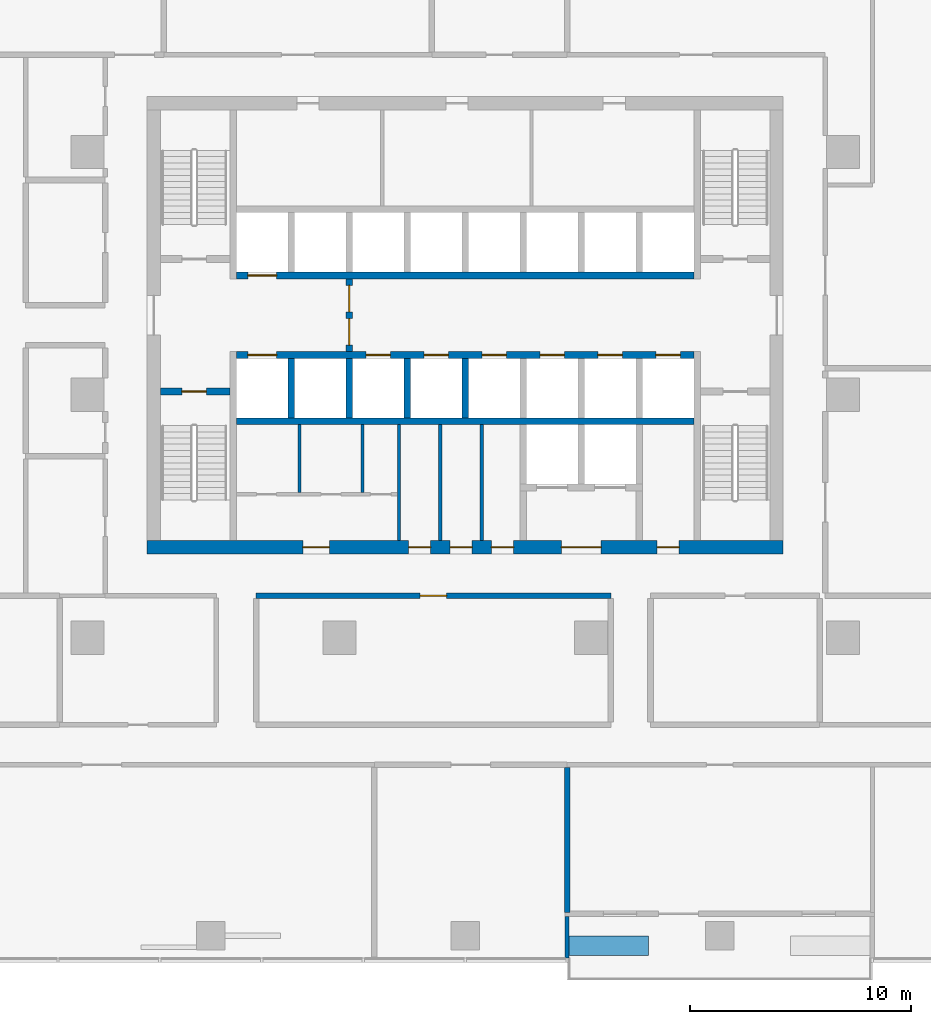
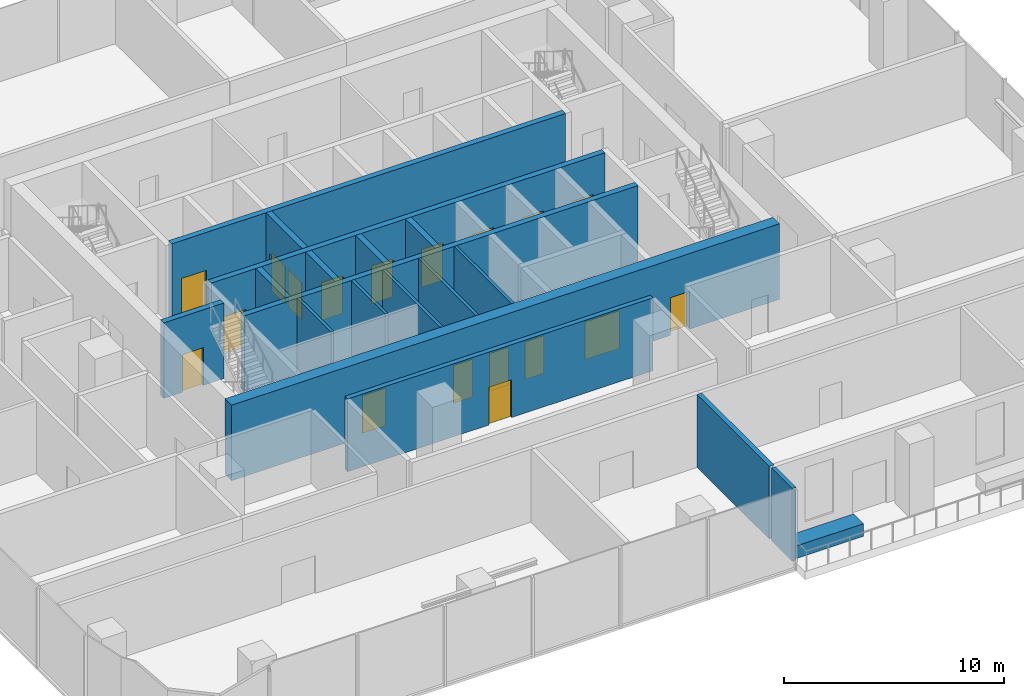
# One storey, part 8 of 15: 19 walls, 18 doors, 18 openings.
"""IFC4 building model written with IfcOpenShell, lengths in metres."""

from ifc_helpers import new_model, si_unit, direction, frame, frame_2d, origin, place, context, subcontext, project, spatial, rectangle, extrude, material, layer, layer_set, type_object, element, fill, save


model = new_model("IFC4")

# Units and contexts
model_context = context("Model", 3, precision=1e-05, world=origin(), true_north=direction((0.0, 1.0)))
body_context = subcontext(model_context, "Body", "Model", "MODEL_VIEW")
ifc_project = project(units=[si_unit("LENGTHUNIT", "METRE"), si_unit("AREAUNIT", "SQUARE_METRE"), si_unit("VOLUMEUNIT", "CUBIC_METRE"), si_unit("PLANEANGLEUNIT", "RADIAN"), si_unit("MASSUNIT", "GRAM", prefix="KILO")], contexts=[model_context])

# Site, building, storey
site_placement = place(None, origin())
site = spatial("IfcSite", under=ifc_project, at=site_placement, CompositionType="ELEMENT")
building_placement = place(site_placement, origin())
building = spatial("IfcBuilding", under=site, at=building_placement, Name="Mopane Tessera Tower", CompositionType="ELEMENT")
storey_placement = place(building_placement, frame((0.0, 0.0, 117.10009765625)))
storey = spatial("IfcBuildingStorey", under=building, at=storey_placement, Name="L23", CompositionType="ELEMENT", Elevation=117.10009765625)

# Walls
ifc_material_1 = material(Name="Fire-rated gypsum board partition")
ifc_layer_1 = layer(ifc_material_1, 0.14990234375)
ifc_layer_set_1 = layer_set([ifc_layer_1], Name="Fire-rated gypsum board partition")
wall_type_1 = type_object("IfcWallType", Name="Core room partition 150 mm", PredefinedType="PARTITIONING", material=ifc_layer_set_1)
for number, where, z_axis, x_axis, name in (
    (1, (-7.5, -4.425048828125, 0.0), (0.0, 0.0, 1.0), (0.0, 1.0, 0.0), "L23 WC partition"),
    (2, (-4.64990234375, -4.425048828125, 0.0), (0.0, 0.0, 1.0), (0.0, 1.0, 0.0), "L23 WC partition"),
):
    element("IfcWall", number, at=place(storey_placement, frame(where, z_axis=z_axis, x_axis=x_axis)), inside=storey, type_object=wall_type_1, Name=name, PredefinedType="PARTITIONING", context=body_context, shape_type="SweptSolid", body=[
        extrude(rectangle(XDim=3.074951171875, YDim=0.14990234375, at=frame_2d((1.53759765625, 0.0))), origin(), (0.0, 0.0, 1.0), 4.199951171875),
    ])
for number, where, z_axis, x_axis, name in (
    (3, (-3.0, -6.60009765625, 0.0), (0.0, 0.0, 1.0), (0.0, 1.0, 0.0), "L23 Room partition"),
    (4, (-1.125, -6.60009765625, 0.0), (0.0, 0.0, 1.0), (0.0, 1.0, 0.0), "L23 Room partition"),
    (5, (0.75, -6.60009765625, 0.0), (0.0, 0.0, 1.0), (0.0, 1.0, 0.0), "L23 Room partition"),
):
    element("IfcWall", number, at=place(storey_placement, frame(where, z_axis=z_axis, x_axis=x_axis)), inside=storey, type_object=wall_type_1, Name=name, PredefinedType="PARTITIONING", context=body_context, shape_type="SweptSolid", body=[
        extrude(rectangle(XDim=5.25, YDim=0.14990234375, at=frame_2d((2.625, 0.0))), origin(), (0.0, 0.0, 1.0), 4.199951171875),
    ])

# Wall, openings, doors
ifc_material_2 = material(Name="Concrete C70/85", Category="concrete")
ifc_layer_2 = layer(ifc_material_2, 0.60009765625)
ifc_layer_set_2 = layer_set([ifc_layer_2], Name="Concrete C70/85")
wall_type_2 = type_object("IfcWallType", Name="Core shear wall 600 mm", PredefinedType="SHEAR", material=ifc_layer_set_2)
wall_1_placement = place(storey_placement, frame((-14.39990234375, -6.89990234375, 0.0), z_axis=(0.0, 0.0, 1.0), x_axis=(1.0, 0.0, 0.0)))
wall_1 = element("IfcWall", 6, at=wall_1_placement, inside=storey, type_object=wall_type_2, Name="L23 Core wall south", PredefinedType="SHEAR", context=body_context, shape_type="SweptSolid", body=[
    extrude(rectangle(XDim=28.7998046875, YDim=0.60009765625, at=frame_2d((14.39990234375, 0.0))), origin(), (0.0, 0.0, 1.0), 4.199951171875),
])
opening_1_placement = place(wall_1_placement, frame((7.050048828125, 0.0, 0.0)))
opening_1 = element("IfcOpeningElement", 7, at=opening_1_placement, cuts=wall_1, Name="Opening WD3", PredefinedType="OPENING", context=body_context, shape_type="SweptSolid", body=[
    extrude(rectangle(XDim=1.199951171875, YDim=2.10009765625, at=frame_2d((0.60009765625, 1.050048828125))), frame((0.0, 0.31201171875, 0.0), z_axis=(0.0, -1.0, 0.0), x_axis=(1.0, 0.0, 0.0)), (0.0, 0.0, 1.0), 0.6240234375),
])
opening_2_placement = place(wall_1_placement, frame((11.83740234375, 0.0, 0.0)))
opening_2 = element("IfcOpeningElement", 8, at=opening_2_placement, cuts=wall_1, Name="Opening RD1", PredefinedType="OPENING", context=body_context, shape_type="SweptSolid", body=[
    extrude(rectangle(XDim=1.0, YDim=2.10009765625, at=frame_2d((0.5, 1.050048828125))), frame((0.0, 0.31201171875, 0.0), z_axis=(0.0, -1.0, 0.0), x_axis=(1.0, 0.0, 0.0)), (0.0, 0.0, 1.0), 0.6240234375),
])
opening_3_placement = place(wall_1_placement, frame((13.71240234375, 0.0, 0.0)))
opening_3 = element("IfcOpeningElement", 9, at=opening_3_placement, cuts=wall_1, Name="Opening RD1", PredefinedType="OPENING", context=body_context, shape_type="SweptSolid", body=[
    extrude(rectangle(XDim=1.0, YDim=2.10009765625, at=frame_2d((0.5, 1.050048828125))), frame((0.0, 0.31201171875, 0.0), z_axis=(0.0, -1.0, 0.0), x_axis=(1.0, 0.0, 0.0)), (0.0, 0.0, 1.0), 0.6240234375),
])
opening_4_placement = place(wall_1_placement, frame((15.58740234375, 0.0, 0.0)))
opening_4 = element("IfcOpeningElement", 10, at=opening_4_placement, cuts=wall_1, Name="Opening RD1", PredefinedType="OPENING", context=body_context, shape_type="SweptSolid", body=[
    extrude(rectangle(XDim=1.0, YDim=2.10009765625, at=frame_2d((0.5, 1.050048828125))), frame((0.0, 0.31201171875, 0.0), z_axis=(0.0, -1.0, 0.0), x_axis=(1.0, 0.0, 0.0)), (0.0, 0.0, 1.0), 0.6240234375),
])
opening_5_placement = place(wall_1_placement, frame((18.75, 0.0, 0.0)))
opening_5 = element("IfcOpeningElement", 11, at=opening_5_placement, cuts=wall_1, Name="Opening SD2", PredefinedType="OPENING", context=body_context, shape_type="SweptSolid", body=[
    extrude(rectangle(XDim=1.800048828125, YDim=2.10009765625, at=frame_2d((0.89990234375, 1.050048828125))), frame((0.0, 0.31201171875, 0.0), z_axis=(0.0, -1.0, 0.0), x_axis=(1.0, 0.0, 0.0)), (0.0, 0.0, 1.0), 0.6240234375),
])
opening_6_placement = place(wall_1_placement, frame((23.08740234375, 0.0, 0.0)))
opening_6 = element("IfcOpeningElement", 12, at=opening_6_placement, cuts=wall_1, Name="Opening RD1", PredefinedType="OPENING", context=body_context, shape_type="SweptSolid", body=[
    extrude(rectangle(XDim=1.0, YDim=2.10009765625, at=frame_2d((0.5, 1.050048828125))), frame((0.0, 0.31201171875, 0.0), z_axis=(0.0, -1.0, 0.0), x_axis=(1.0, 0.0, 0.0)), (0.0, 0.0, 1.0), 0.6240234375),
])
ifc_material_3 = material(Name="Steel fire door", Category="steel")
door_type_1 = type_object("IfcDoorType", Name="Core entrance double door 1800 x 2100", OperationType="DOUBLE_DOOR_SINGLE_SWING", PredefinedType="DOOR", material=ifc_material_3)
door_1_placement = place(opening_5_placement, origin())
door_1 = element("IfcDoor", 13, at=door_1_placement, inside=storey, type_object=door_type_1, Name="L23 Service lobby door", OperationType="DOUBLE_DOOR_SINGLE_SWING", OverallHeight=2.10009765625, OverallWidth=1.800048828125, PredefinedType="DOOR", context=body_context, shape_type="SweptSolid", body=[
    extrude(rectangle(XDim=1.800048828125, YDim=2.10009765625, at=frame_2d((0.89990234375, 1.050048828125))), frame((0.0, 0.02490234375, 0.0), z_axis=(0.0, -1.0, 0.0), x_axis=(1.0, 0.0, 0.0)), (0.0, 0.0, 1.0), 0.050048828125),
])
fill(opening_5, door_1)
ifc_material_4 = material(Name="Timber door", Category="wood")
door_type_2 = type_object("IfcDoorType", Name="Core room door 1000 x 2100", OperationType="SINGLE_SWING_LEFT", PredefinedType="DOOR", material=ifc_material_4)
door_2_placement = place(opening_2_placement, origin())
door_2 = element("IfcDoor", 14, at=door_2_placement, inside=storey, type_object=door_type_2, Name="L23 Room door", OperationType="SINGLE_SWING_LEFT", OverallHeight=2.10009765625, OverallWidth=1.0, PredefinedType="DOOR", context=body_context, shape_type="SweptSolid", body=[
    extrude(rectangle(XDim=1.0, YDim=2.10009765625, at=frame_2d((0.5, 1.050048828125))), frame((0.0, 0.02490234375, 0.0), z_axis=(0.0, -1.0, 0.0), x_axis=(1.0, 0.0, 0.0)), (0.0, 0.0, 1.0), 0.050048828125),
])
fill(opening_2, door_2)
door_3_placement = place(opening_3_placement, origin())
door_3 = element("IfcDoor", 15, at=door_3_placement, inside=storey, type_object=door_type_2, Name="L23 Room door", OperationType="SINGLE_SWING_LEFT", OverallHeight=2.10009765625, OverallWidth=1.0, PredefinedType="DOOR", context=body_context, shape_type="SweptSolid", body=[
    extrude(rectangle(XDim=1.0, YDim=2.10009765625, at=frame_2d((0.5, 1.050048828125))), frame((0.0, 0.02490234375, 0.0), z_axis=(0.0, -1.0, 0.0), x_axis=(1.0, 0.0, 0.0)), (0.0, 0.0, 1.0), 0.050048828125),
])
fill(opening_3, door_3)
door_4_placement = place(opening_4_placement, origin())
door_4 = element("IfcDoor", 16, at=door_4_placement, inside=storey, type_object=door_type_2, Name="L23 Room door", OperationType="SINGLE_SWING_LEFT", OverallHeight=2.10009765625, OverallWidth=1.0, PredefinedType="DOOR", context=body_context, shape_type="SweptSolid", body=[
    extrude(rectangle(XDim=1.0, YDim=2.10009765625, at=frame_2d((0.5, 1.050048828125))), frame((0.0, 0.02490234375, 0.0), z_axis=(0.0, -1.0, 0.0), x_axis=(1.0, 0.0, 0.0)), (0.0, 0.0, 1.0), 0.050048828125),
])
fill(opening_4, door_4)
door_5_placement = place(opening_6_placement, origin())
door_5 = element("IfcDoor", 17, at=door_5_placement, inside=storey, type_object=door_type_2, Name="L23 Room door", OperationType="SINGLE_SWING_LEFT", OverallHeight=2.10009765625, OverallWidth=1.0, PredefinedType="DOOR", context=body_context, shape_type="SweptSolid", body=[
    extrude(rectangle(XDim=1.0, YDim=2.10009765625, at=frame_2d((0.5, 1.050048828125))), frame((0.0, 0.02490234375, 0.0), z_axis=(0.0, -1.0, 0.0), x_axis=(1.0, 0.0, 0.0)), (0.0, 0.0, 1.0), 0.050048828125),
])
fill(opening_6, door_5)
ifc_material_5 = material(Name="Timber door", Category="wood")
door_type_3 = type_object("IfcDoorType", Name="WC lobby door 1200 x 2100", OperationType="SINGLE_SWING_LEFT", PredefinedType="DOOR", material=ifc_material_5)
door_6_placement = place(opening_1_placement, origin())
door_6 = element("IfcDoor", 18, at=door_6_placement, inside=storey, type_object=door_type_3, Name="L23 WC lobby door", OperationType="SINGLE_SWING_LEFT", OverallHeight=2.10009765625, OverallWidth=1.199951171875, PredefinedType="DOOR", context=body_context, shape_type="SweptSolid", body=[
    extrude(rectangle(XDim=1.199951171875, YDim=2.10009765625, at=frame_2d((0.60009765625, 1.050048828125))), frame((0.0, 0.02490234375, 0.0), z_axis=(0.0, -1.0, 0.0), x_axis=(1.0, 0.0, 0.0)), (0.0, 0.0, 1.0), 0.050048828125),
])
fill(opening_1, door_6)

# Wall, opening, door
ifc_material_6 = material(Name="Concrete C50/60", Category="concrete")
ifc_layer_3 = layer(ifc_material_6, 0.300048828125)
ifc_layer_set_3 = layer_set([ifc_layer_3], Name="Concrete C50/60")
wall_type_3 = type_object("IfcWallType", Name="Lift and stair shaft wall 300 mm", PredefinedType="SOLIDWALL", material=ifc_layer_set_3)
wall_2_placement = place(storey_placement, frame((-13.800048828125, 0.14990234375, 0.0), z_axis=(0.0, 0.0, 1.0), x_axis=(1.0, 0.0, 0.0)))
wall_2 = element("IfcWall", 19, at=wall_2_placement, inside=storey, type_object=wall_type_3, Name="L23 Stair enclosure wall", PredefinedType="SOLIDWALL", context=body_context, shape_type="SweptSolid", body=[
    extrude(rectangle(XDim=3.150146484375, YDim=0.300048828125, at=frame_2d((1.5751953125, 0.0))), origin(), (0.0, 0.0, 1.0), 4.199951171875),
])
opening_7_placement = place(wall_2_placement, frame((0.97509765625, 0.0, 0.0)))
opening_7 = element("IfcOpeningElement", 20, at=opening_7_placement, cuts=wall_2, Name="Opening SD1", PredefinedType="OPENING", context=body_context, shape_type="SweptSolid", body=[
    extrude(rectangle(XDim=1.10009765625, YDim=2.10009765625, at=frame_2d((0.550048828125, 1.050048828125))), frame((0.0, 0.162109375, 0.0), z_axis=(0.0, -1.0, 0.0), x_axis=(1.0, 0.0, 0.0)), (0.0, 0.0, 1.0), 0.323974609375),
])
ifc_material_7 = material(Name="Steel fire door", Category="steel")
door_type_4 = type_object("IfcDoorType", Name="Stair fire door 1100 x 2100", OperationType="SINGLE_SWING_LEFT", PredefinedType="DOOR", material=ifc_material_7)
door_7_placement = place(opening_7_placement, origin())
door_7 = element("IfcDoor", 21, at=door_7_placement, inside=storey, type_object=door_type_4, Name="L23 Stair door ST1", OperationType="SINGLE_SWING_LEFT", OverallHeight=2.10009765625, OverallWidth=1.10009765625, PredefinedType="DOOR", context=body_context, shape_type="SweptSolid", body=[
    extrude(rectangle(XDim=1.10009765625, YDim=2.10009765625, at=frame_2d((0.550048828125, 1.050048828125))), frame((0.0, 0.02490234375, 0.0), z_axis=(0.0, -1.0, 0.0), x_axis=(1.0, 0.0, 0.0)), (0.0, 0.0, 1.0), 0.050048828125),
])
fill(opening_7, door_7)

# Wall
wall_3_placement = place(storey_placement, frame((-10.35009765625, -1.199951171875, 0.0), z_axis=(0.0, 0.0, 1.0), x_axis=(1.0, 0.0, 0.0)))
element("IfcWall", 22, at=wall_3_placement, inside=storey, type_object=wall_type_3, Name="L23 Lift shaft rear wall", PredefinedType="SOLIDWALL", context=body_context, shape_type="SweptSolid", body=[
    extrude(rectangle(XDim=20.7001953125, YDim=0.300048828125, at=frame_2d((10.35009765625, 0.0))), origin(), (0.0, 0.0, 1.0), 4.199951171875),
])

# Wall, openings, doors
wall_4_placement = place(storey_placement, frame((-10.35009765625, 1.800048828125, 0.0), z_axis=(0.0, 0.0, 1.0), x_axis=(1.0, 0.0, 0.0)))
wall_4 = element("IfcWall", 23, at=wall_4_placement, inside=storey, type_object=wall_type_3, Name="L23 Lift shaft front wall", PredefinedType="SOLIDWALL", context=body_context, shape_type="SweptSolid", body=[
    extrude(rectangle(XDim=20.7001953125, YDim=0.300048828125, at=frame_2d((10.35009765625, 0.0))), origin(), (0.0, 0.0, 1.0), 4.199951171875),
])
opening_8_placement = place(wall_4_placement, frame((0.512451171875, 0.0, 0.0)))
opening_8 = element("IfcOpeningElement", 24, at=opening_8_placement, cuts=wall_4, Name="Opening LD2", PredefinedType="OPENING", context=body_context, shape_type="SweptSolid", body=[
    extrude(rectangle(XDim=1.300048828125, YDim=2.10009765625, at=frame_2d((0.64990234375, 1.050048828125))), frame((0.0, 0.162109375, 0.0), z_axis=(0.0, -1.0, 0.0), x_axis=(1.0, 0.0, 0.0)), (0.0, 0.0, 1.0), 0.323974609375),
])
opening_9_placement = place(wall_4_placement, frame((5.862548828125, 0.0, 0.0)))
opening_9 = element("IfcOpeningElement", 25, at=opening_9_placement, cuts=wall_4, Name="Opening LD", PredefinedType="OPENING", context=body_context, shape_type="SweptSolid", body=[
    extrude(rectangle(XDim=1.10009765625, YDim=2.10009765625, at=frame_2d((0.550048828125, 1.050048828125))), frame((0.0, 0.162109375, 0.0), z_axis=(0.0, -1.0, 0.0), x_axis=(1.0, 0.0, 0.0)), (0.0, 0.0, 1.0), 0.323974609375),
])
opening_10_placement = place(wall_4_placement, frame((8.487548828125, 0.0, 0.0)))
opening_10 = element("IfcOpeningElement", 26, at=opening_10_placement, cuts=wall_4, Name="Opening LD", PredefinedType="OPENING", context=body_context, shape_type="SweptSolid", body=[
    extrude(rectangle(XDim=1.10009765625, YDim=2.10009765625, at=frame_2d((0.550048828125, 1.050048828125))), frame((0.0, 0.162109375, 0.0), z_axis=(0.0, -1.0, 0.0), x_axis=(1.0, 0.0, 0.0)), (0.0, 0.0, 1.0), 0.323974609375),
])
opening_11_placement = place(wall_4_placement, frame((11.112548828125, 0.0, 0.0)))
opening_11 = element("IfcOpeningElement", 27, at=opening_11_placement, cuts=wall_4, Name="Opening LD", PredefinedType="OPENING", context=body_context, shape_type="SweptSolid", body=[
    extrude(rectangle(XDim=1.10009765625, YDim=2.10009765625, at=frame_2d((0.550048828125, 1.050048828125))), frame((0.0, 0.162109375, 0.0), z_axis=(0.0, -1.0, 0.0), x_axis=(1.0, 0.0, 0.0)), (0.0, 0.0, 1.0), 0.323974609375),
])
opening_12_placement = place(wall_4_placement, frame((13.737548828125, 0.0, 0.0)))
opening_12 = element("IfcOpeningElement", 28, at=opening_12_placement, cuts=wall_4, Name="Opening LD", PredefinedType="OPENING", context=body_context, shape_type="SweptSolid", body=[
    extrude(rectangle(XDim=1.10009765625, YDim=2.10009765625, at=frame_2d((0.550048828125, 1.050048828125))), frame((0.0, 0.162109375, 0.0), z_axis=(0.0, -1.0, 0.0), x_axis=(1.0, 0.0, 0.0)), (0.0, 0.0, 1.0), 0.323974609375),
])
opening_13_placement = place(wall_4_placement, frame((16.362548828125, 0.0, 0.0)))
opening_13 = element("IfcOpeningElement", 29, at=opening_13_placement, cuts=wall_4, Name="Opening LD", PredefinedType="OPENING", context=body_context, shape_type="SweptSolid", body=[
    extrude(rectangle(XDim=1.10009765625, YDim=2.10009765625, at=frame_2d((0.550048828125, 1.050048828125))), frame((0.0, 0.162109375, 0.0), z_axis=(0.0, -1.0, 0.0), x_axis=(1.0, 0.0, 0.0)), (0.0, 0.0, 1.0), 0.323974609375),
])
opening_14_placement = place(wall_4_placement, frame((18.987548828125, 0.0, 0.0)))
opening_14 = element("IfcOpeningElement", 30, at=opening_14_placement, cuts=wall_4, Name="Opening LD", PredefinedType="OPENING", context=body_context, shape_type="SweptSolid", body=[
    extrude(rectangle(XDim=1.10009765625, YDim=2.10009765625, at=frame_2d((0.550048828125, 1.050048828125))), frame((0.0, 0.162109375, 0.0), z_axis=(0.0, -1.0, 0.0), x_axis=(1.0, 0.0, 0.0)), (0.0, 0.0, 1.0), 0.323974609375),
])
ifc_material_8 = material(Name="Stainless steel sliding door", Category="steel")
door_type_5 = type_object("IfcDoorType", Name="Fire-fighting lift landing door 1300 x 2100", OperationType="DOUBLE_DOOR_SLIDING", PredefinedType="DOOR", material=ifc_material_8)
door_8_placement = place(opening_8_placement, origin())
door_8 = element("IfcDoor", 31, at=door_8_placement, inside=storey, type_object=door_type_5, Name="L23 Lift landing door FF1", OperationType="DOUBLE_DOOR_SLIDING", OverallHeight=2.10009765625, OverallWidth=1.300048828125, PredefinedType="DOOR", context=body_context, shape_type="SweptSolid", body=[
    extrude(rectangle(XDim=1.300048828125, YDim=2.10009765625, at=frame_2d((0.64990234375, 1.050048828125))), frame((0.0, 0.02490234375, 0.0), z_axis=(0.0, -1.0, 0.0), x_axis=(1.0, 0.0, 0.0)), (0.0, 0.0, 1.0), 0.050048828125),
])
fill(opening_8, door_8)
ifc_material_9 = material(Name="Stainless steel sliding door", Category="steel")
door_type_6 = type_object("IfcDoorType", Name="Lift landing door 1100 x 2100", OperationType="DOUBLE_DOOR_SLIDING", PredefinedType="DOOR", material=ifc_material_9)
door_9_placement = place(opening_9_placement, origin())
door_9 = element("IfcDoor", 32, at=door_9_placement, inside=storey, type_object=door_type_6, Name="L23 Lift landing door LR1", OperationType="DOUBLE_DOOR_SLIDING", OverallHeight=2.10009765625, OverallWidth=1.10009765625, PredefinedType="DOOR", context=body_context, shape_type="SweptSolid", body=[
    extrude(rectangle(XDim=1.10009765625, YDim=2.10009765625, at=frame_2d((0.550048828125, 1.050048828125))), frame((0.0, 0.02490234375, 0.0), z_axis=(0.0, -1.0, 0.0), x_axis=(1.0, 0.0, 0.0)), (0.0, 0.0, 1.0), 0.050048828125),
])
fill(opening_9, door_9)
door_10_placement = place(opening_10_placement, origin())
door_10 = element("IfcDoor", 33, at=door_10_placement, inside=storey, type_object=door_type_6, Name="L23 Lift landing door LR2", OperationType="DOUBLE_DOOR_SLIDING", OverallHeight=2.10009765625, OverallWidth=1.10009765625, PredefinedType="DOOR", context=body_context, shape_type="SweptSolid", body=[
    extrude(rectangle(XDim=1.10009765625, YDim=2.10009765625, at=frame_2d((0.550048828125, 1.050048828125))), frame((0.0, 0.02490234375, 0.0), z_axis=(0.0, -1.0, 0.0), x_axis=(1.0, 0.0, 0.0)), (0.0, 0.0, 1.0), 0.050048828125),
])
fill(opening_10, door_10)
door_11_placement = place(opening_11_placement, origin())
door_11 = element("IfcDoor", 34, at=door_11_placement, inside=storey, type_object=door_type_6, Name="L23 Lift landing door LR3", OperationType="DOUBLE_DOOR_SLIDING", OverallHeight=2.10009765625, OverallWidth=1.10009765625, PredefinedType="DOOR", context=body_context, shape_type="SweptSolid", body=[
    extrude(rectangle(XDim=1.10009765625, YDim=2.10009765625, at=frame_2d((0.550048828125, 1.050048828125))), frame((0.0, 0.02490234375, 0.0), z_axis=(0.0, -1.0, 0.0), x_axis=(1.0, 0.0, 0.0)), (0.0, 0.0, 1.0), 0.050048828125),
])
fill(opening_11, door_11)
door_12_placement = place(opening_12_placement, origin())
door_12 = element("IfcDoor", 35, at=door_12_placement, inside=storey, type_object=door_type_6, Name="L23 Lift landing door LR4", OperationType="DOUBLE_DOOR_SLIDING", OverallHeight=2.10009765625, OverallWidth=1.10009765625, PredefinedType="DOOR", context=body_context, shape_type="SweptSolid", body=[
    extrude(rectangle(XDim=1.10009765625, YDim=2.10009765625, at=frame_2d((0.550048828125, 1.050048828125))), frame((0.0, 0.02490234375, 0.0), z_axis=(0.0, -1.0, 0.0), x_axis=(1.0, 0.0, 0.0)), (0.0, 0.0, 1.0), 0.050048828125),
])
fill(opening_12, door_12)
door_13_placement = place(opening_13_placement, origin())
door_13 = element("IfcDoor", 36, at=door_13_placement, inside=storey, type_object=door_type_6, Name="L23 Lift landing door LR5", OperationType="DOUBLE_DOOR_SLIDING", OverallHeight=2.10009765625, OverallWidth=1.10009765625, PredefinedType="DOOR", context=body_context, shape_type="SweptSolid", body=[
    extrude(rectangle(XDim=1.10009765625, YDim=2.10009765625, at=frame_2d((0.550048828125, 1.050048828125))), frame((0.0, 0.02490234375, 0.0), z_axis=(0.0, -1.0, 0.0), x_axis=(1.0, 0.0, 0.0)), (0.0, 0.0, 1.0), 0.050048828125),
])
fill(opening_13, door_13)
door_14_placement = place(opening_14_placement, origin())
door_14 = element("IfcDoor", 37, at=door_14_placement, inside=storey, type_object=door_type_6, Name="L23 Lift landing door LR6", OperationType="DOUBLE_DOOR_SLIDING", OverallHeight=2.10009765625, OverallWidth=1.10009765625, PredefinedType="DOOR", context=body_context, shape_type="SweptSolid", body=[
    extrude(rectangle(XDim=1.10009765625, YDim=2.10009765625, at=frame_2d((0.550048828125, 1.050048828125))), frame((0.0, 0.02490234375, 0.0), z_axis=(0.0, -1.0, 0.0), x_axis=(1.0, 0.0, 0.0)), (0.0, 0.0, 1.0), 0.050048828125),
])
fill(opening_14, door_14)

# Wall, opening, door
wall_5_placement = place(storey_placement, frame((-10.35009765625, 5.39990234375, 0.0), z_axis=(0.0, 0.0, 1.0), x_axis=(1.0, 0.0, 0.0)))
wall_5 = element("IfcWall", 38, at=wall_5_placement, inside=storey, type_object=wall_type_3, Name="L23 Lift shaft front wall", PredefinedType="SOLIDWALL", context=body_context, shape_type="SweptSolid", body=[
    extrude(rectangle(XDim=20.7001953125, YDim=0.300048828125, at=frame_2d((10.35009765625, 0.0))), origin(), (0.0, 0.0, 1.0), 4.199951171875),
])
opening_15_placement = place(wall_5_placement, frame((0.512451171875, 0.0, 0.0)))
opening_15 = element("IfcOpeningElement", 39, at=opening_15_placement, cuts=wall_5, Name="Opening LD2", PredefinedType="OPENING", context=body_context, shape_type="SweptSolid", body=[
    extrude(rectangle(XDim=1.300048828125, YDim=2.10009765625, at=frame_2d((0.64990234375, 1.050048828125))), frame((0.0, 0.162109375, 0.0), z_axis=(0.0, -1.0, 0.0), x_axis=(1.0, 0.0, 0.0)), (0.0, 0.0, 1.0), 0.323974609375),
])
door_15_placement = place(opening_15_placement, origin())
door_15 = element("IfcDoor", 40, at=door_15_placement, inside=storey, type_object=door_type_5, Name="L23 Lift landing door FF2", OperationType="DOUBLE_DOOR_SLIDING", OverallHeight=2.10009765625, OverallWidth=1.300048828125, PredefinedType="DOOR", context=body_context, shape_type="SweptSolid", body=[
    extrude(rectangle(XDim=1.300048828125, YDim=2.10009765625, at=frame_2d((0.64990234375, 1.050048828125))), frame((0.0, 0.02490234375, 0.0), z_axis=(0.0, -1.0, 0.0), x_axis=(1.0, 0.0, 0.0)), (0.0, 0.0, 1.0), 0.050048828125),
])
fill(opening_15, door_15)

# Walls
for number, where, z_axis, x_axis, name in (
    (41, (-7.875, -1.050048828125, 0.0), (0.0, 0.0, 1.0), (0.0, 1.0, 0.0), "L23 Lift shaft wall"),
    (42, (-5.25, -1.050048828125, 0.0), (0.0, 0.0, 1.0), (0.0, 1.0, 0.0), "L23 Lift shaft wall"),
    (43, (-2.625, -1.050048828125, 0.0), (0.0, 0.0, 1.0), (0.0, 1.0, 0.0), "L23 Lift shaft wall"),
    (44, (0.0, -1.050048828125, 0.0), (0.0, 0.0, 1.0), (0.0, 1.0, 0.0), "L23 Lift shaft wall"),
):
    element("IfcWall", number, at=place(storey_placement, frame(where, z_axis=z_axis, x_axis=x_axis)), inside=storey, type_object=wall_type_3, Name=name, PredefinedType="SOLIDWALL", context=body_context, shape_type="SweptSolid", body=[
        extrude(rectangle(XDim=2.699951171875, YDim=0.300048828125, at=frame_2d((1.35009765625, 0.0))), origin(), (0.0, 0.0, 1.0), 4.199951171875),
    ])

# Wall, openings, doors
ifc_material_10 = material(Name="Concrete C50/60", Category="concrete")
ifc_layer_4 = layer(ifc_material_10, 0.300048828125)
ifc_layer_set_4 = layer_set([ifc_layer_4], Name="Concrete C50/60")
wall_type_4 = type_object("IfcWallType", Name="Lobby and refuge room wall 300 mm", PredefinedType="SOLIDWALL", material=ifc_layer_set_4)
wall_6_placement = place(storey_placement, frame((-5.25, 1.949951171875, 0.0), z_axis=(0.0, 0.0, 1.0), x_axis=(0.0, 1.0, 0.0)))
wall_6 = element("IfcWall", 45, at=wall_6_placement, inside=storey, type_object=wall_type_4, Name="L23 Fire-fighting lobby wall", PredefinedType="SOLIDWALL", context=body_context, shape_type="SweptSolid", body=[
    extrude(rectangle(XDim=3.300048828125, YDim=0.300048828125, at=frame_2d((1.64990234375, 0.0))), origin(), (0.0, 0.0, 1.0), 4.199951171875),
])
opening_16_placement = place(wall_6_placement, frame((0.300048828125, 0.0, 0.0)))
opening_16 = element("IfcOpeningElement", 46, at=opening_16_placement, cuts=wall_6, Name="Opening SD3", PredefinedType="OPENING", context=body_context, shape_type="SweptSolid", body=[
    extrude(rectangle(XDim=1.199951171875, YDim=2.10009765625, at=frame_2d((0.60009765625, 1.050048828125))), frame((0.0, 0.162109375, 0.0), z_axis=(0.0, -1.0, 0.0), x_axis=(1.0, 0.0, 0.0)), (0.0, 0.0, 1.0), 0.323974609375),
])
opening_17_placement = place(wall_6_placement, frame((1.800048828125, 0.0, 0.0)))
opening_17 = element("IfcOpeningElement", 47, at=opening_17_placement, cuts=wall_6, Name="Opening SD3", PredefinedType="OPENING", context=body_context, shape_type="SweptSolid", body=[
    extrude(rectangle(XDim=1.199951171875, YDim=2.10009765625, at=frame_2d((0.60009765625, 1.050048828125))), frame((0.0, 0.162109375, 0.0), z_axis=(0.0, -1.0, 0.0), x_axis=(1.0, 0.0, 0.0)), (0.0, 0.0, 1.0), 0.323974609375),
])
ifc_material_11 = material(Name="Steel fire door", Category="steel")
door_type_7 = type_object("IfcDoorType", Name="Lobby fire door 1200 x 2100", OperationType="SINGLE_SWING_LEFT", PredefinedType="DOOR", material=ifc_material_11)
door_16_placement = place(opening_16_placement, origin())
door_16 = element("IfcDoor", 48, at=door_16_placement, inside=storey, type_object=door_type_7, Name="L23 Fire-fighting lobby door", OperationType="SINGLE_SWING_LEFT", OverallHeight=2.10009765625, OverallWidth=1.199951171875, PredefinedType="DOOR", context=body_context, shape_type="SweptSolid", body=[
    extrude(rectangle(XDim=1.199951171875, YDim=2.10009765625, at=frame_2d((0.60009765625, 1.050048828125))), frame((0.0, 0.02490234375, 0.0), z_axis=(0.0, -1.0, 0.0), x_axis=(1.0, 0.0, 0.0)), (0.0, 0.0, 1.0), 0.050048828125),
])
fill(opening_16, door_16)
door_17_placement = place(opening_17_placement, origin())
door_17 = element("IfcDoor", 49, at=door_17_placement, inside=storey, type_object=door_type_7, Name="L23 Fire-fighting lobby door", OperationType="SINGLE_SWING_RIGHT", OverallHeight=2.10009765625, OverallWidth=1.199951171875, PredefinedType="DOOR", context=body_context, shape_type="SweptSolid", body=[
    extrude(rectangle(XDim=1.199951171875, YDim=2.10009765625, at=frame_2d((0.60009765625, 1.050048828125))), frame((0.0, 0.02490234375, 0.0), z_axis=(0.0, -1.0, 0.0), x_axis=(1.0, 0.0, 0.0)), (0.0, 0.0, 1.0), 0.050048828125),
])
fill(opening_17, door_17)

# Wall
ifc_material_12 = material(Name="Reinforced concrete C32/40 with waterproofing", Category="concrete")
ifc_layer_5 = layer(ifc_material_12, 0.89990234375)
ifc_layer_set_5 = layer_set([ifc_layer_5], Name="Reinforced concrete C32/40 with waterproofing")
wall_type_5 = type_object("IfcWallType", Name="Planter trough 3600 x 900", PredefinedType="STANDARD", material=ifc_layer_set_5)
wall_7_placement = place(storey_placement, frame((4.7099609375, -24.949951171875, 0.0), z_axis=(0.0, 0.0, 1.0), x_axis=(1.0, 0.0, 0.0)))
element("IfcWall", 50, at=wall_7_placement, inside=storey, type_object=wall_type_5, Name="e:nw:L23:N3:pl0", PredefinedType="STANDARD", context=body_context, shape_type="SweptSolid", body=[
    extrude(rectangle(XDim=3.60009765625, YDim=0.89990234375, at=frame_2d((1.800048828125, 0.0))), origin(), (0.0, 0.0, 1.0), 0.699951171875),
])

# Wall, opening, door
ifc_material_13 = material(Name="Plastered concrete blockwork C20/25", Category="masonry")
ifc_layer_6 = layer(ifc_material_13, 0.25)
ifc_layer_set_6 = layer_set([ifc_layer_6], Name="Plastered concrete blockwork C20/25")
wall_type_6 = type_object("IfcWallType", Name="Plastered blockwork wall 250, rated EI 120", PredefinedType="PARTITIONING", material=ifc_layer_set_6)
wall_8_placement = place(storey_placement, frame((-9.469970703125, -9.10009765625, 0.0), z_axis=(0.0, 0.0, 1.0), x_axis=(1.0, 0.0, 0.0)))
wall_8 = element("IfcWall", 51, at=wall_8_placement, inside=storey, type_object=wall_type_6, Name="Partition L23:011", PredefinedType="PARTITIONING", context=body_context, shape_type="SweptSolid", body=[
    extrude(rectangle(XDim=16.06005859375, YDim=0.25, at=frame_2d((8.030029296875, 0.0))), origin(), (0.0, 0.0, 1.0), 4.0498046875),
])
opening_18_placement = place(wall_8_placement, frame((7.429931640625, 0.0, 0.0)))
opening_18 = element("IfcOpeningElement", 52, at=opening_18_placement, cuts=wall_8, Name="Opening L23-01", PredefinedType="OPENING", context=body_context, shape_type="SweptSolid", body=[
    extrude(rectangle(XDim=1.199951171875, YDim=2.10009765625, at=frame_2d((0.60009765625, 1.050048828125))), frame((0.0, 0.136962890625, 0.0), z_axis=(0.0, -1.0, 0.0), x_axis=(1.0, 0.0, 0.0)), (0.0, 0.0, 1.0), 0.27392578125),
])
ifc_material_14 = material(Name="Timber veneered steel-framed fire door", Category="steel")
door_type_8 = type_object("IfcDoorType", Name="Fire door FD120 1200 x 2100", OperationType="SINGLE_SWING_LEFT", PredefinedType="DOOR", material=ifc_material_14)
door_18_placement = place(opening_18_placement, origin())
door_18 = element("IfcDoor", 53, at=door_18_placement, inside=storey, type_object=door_type_8, Name="Door L23-01", ObjectType="D15B", OperationType="SINGLE_SWING_RIGHT", OverallHeight=2.10009765625, OverallWidth=1.199951171875, PredefinedType="DOOR", context=body_context, shape_type="SweptSolid", body=[
    extrude(rectangle(XDim=1.199951171875, YDim=2.10009765625, at=frame_2d((0.60009765625, 1.050048828125))), frame((0.0, 0.02490234375, 0.0), z_axis=(0.0, -1.0, 0.0), x_axis=(1.0, 0.0, 0.0)), (0.0, 0.0, 1.0), 0.050048828125),
])
fill(opening_18, door_18)

# Walls
wall_9_placement = place(storey_placement, frame((4.610107421875, -23.449951171875, 0.0), z_axis=(0.0, 0.0, 1.0), x_axis=(0.0, 1.0, 0.0)))
element("IfcWall", 54, at=wall_9_placement, inside=storey, type_object=wall_type_6, Name="Partition L23:044", PredefinedType="PARTITIONING", context=body_context, shape_type="SweptSolid", body=[
    extrude(rectangle(XDim=6.574951171875, YDim=0.25, at=frame_2d((3.28759765625, 0.0))), origin(), (0.0, 0.0, 1.0), 4.0498046875),
])
ifc_material_15 = material(Name="Blockwork with glazed tile facing", Category="masonry")
ifc_layer_7 = layer(ifc_material_15, 0.199951171875)
ifc_layer_set_7 = layer_set([ifc_layer_7], Name="Blockwork with glazed tile facing")
wall_type_7 = type_object("IfcWallType", Name="Terrace cheek wall 200", PredefinedType="STANDARD", material=ifc_layer_set_7)
wall_10_placement = place(storey_placement, frame((4.610107421875, -25.5, 0.0), z_axis=(0.0, 0.0, 1.0), x_axis=(0.0, 1.0, 0.0)))
element("IfcWall", 55, at=wall_10_placement, inside=storey, type_object=wall_type_7, Name="e:nw:L23:N3:cheeka", PredefinedType="STANDARD", context=body_context, shape_type="SweptSolid", body=[
    extrude(rectangle(XDim=1.875, YDim=0.199951171875, at=frame_2d((0.9375, 0.0))), origin(), (0.0, 0.0, 1.0), 4.0498046875),
])

save(model, "model.ifc")
